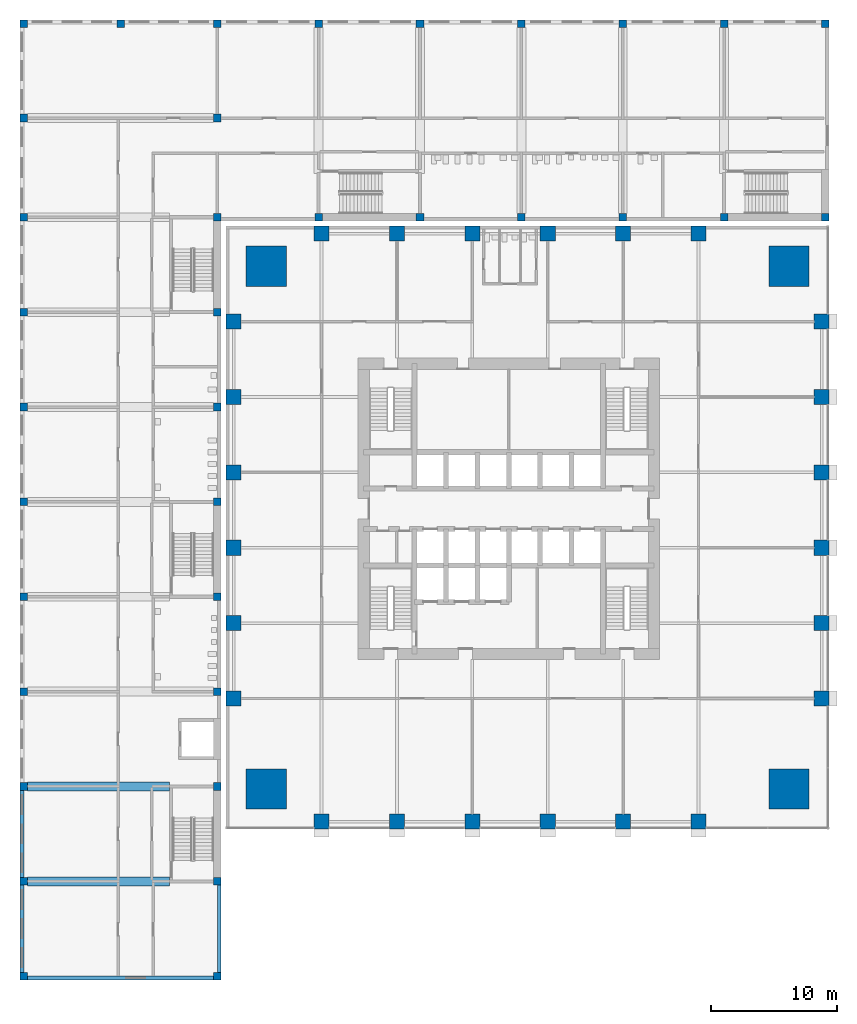
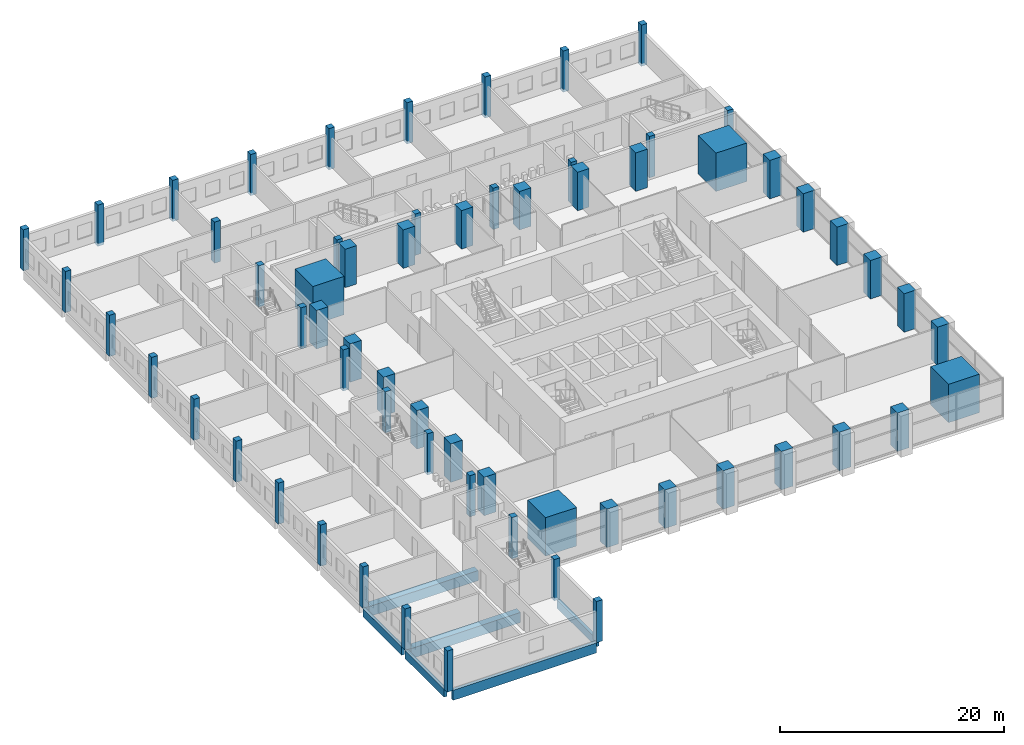
# One storey, part 1 of 25: 63 columns, 6 beams.
"""IFC4 building model written with IfcOpenShell, lengths in metres."""

from ifc_helpers import new_model, si_unit, direction, frame, origin, origin_2d, place, context, subcontext, project, spatial, rectangle, extrude, material, material_profile, profile_set, type_object, element, save


model = new_model("IFC4")

# Units and contexts
model_context = context("Model", 3, precision=1e-05, world=origin(), true_north=direction((0.0, 1.0)))
body_context = subcontext(model_context, "Body", "Model", "MODEL_VIEW")
ifc_project = project(units=[si_unit("LENGTHUNIT", "METRE"), si_unit("AREAUNIT", "SQUARE_METRE"), si_unit("VOLUMEUNIT", "CUBIC_METRE"), si_unit("PLANEANGLEUNIT", "RADIAN"), si_unit("MASSUNIT", "GRAM", prefix="KILO")], contexts=[model_context])

# Site, building, storey
site_placement = place(None, origin())
site = spatial("IfcSite", under=ifc_project, at=site_placement, CompositionType="ELEMENT")
building_placement = place(site_placement, origin())
building = spatial("IfcBuilding", under=site, at=building_placement, Name="Amberfall Residences", CompositionType="ELEMENT")
storey_placement = place(building_placement, frame((0.0, 0.0, 10.0)))
storey = spatial("IfcBuildingStorey", under=building, at=storey_placement, Name="L02", CompositionType="ELEMENT", Elevation=10.0)

# Columns
ifc_material_1 = material(Name="Concrete C80", Category="concrete")
ifc_material_profile_1 = material_profile(ifc_material_1, rectangle(XDim=1.199951171875, YDim=1.199951171875, at=origin_2d()), Name="Column 1200 x 1200 C80")
ifc_profile_set_1 = profile_set([ifc_material_profile_1], Name="Concrete C80")
column_type_1 = type_object("IfcColumnType", Name="Column 1200 x 1200 C80", PredefinedType="COLUMN", material=ifc_profile_set_1)
for number, where, z_axis, x_axis, name in (
    (1, (59.60009765625, 20.60009765625, 0.0), (0.0, 0.0, 1.0), (1.0, 0.0, 0.0), "Column C1 L02 S1"),
    (2, (65.60009765625, 20.60009765625, 0.0), (0.0, 0.0, 1.0), (1.0, 0.0, 0.0), "Column C1 L02 S2"),
    (3, (71.60009765625, 20.60009765625, 0.0), (0.0, 0.0, 1.0), (1.0, 0.0, 0.0), "Column C1 L02 S3"),
    (4, (77.60009765625, 20.60009765625, 0.0), (0.0, 0.0, 1.0), (1.0, 0.0, 0.0), "Column C1 L02 S4"),
    (5, (83.60009765625, 20.60009765625, 0.0), (0.0, 0.0, 1.0), (1.0, 0.0, 0.0), "Column C1 L02 S5"),
    (6, (89.60009765625, 20.60009765625, 0.0), (0.0, 0.0, 1.0), (1.0, 0.0, 0.0), "Column C1 L02 S6"),
    (7, (99.39990234375, 30.39990234375, 0.0), (0.0, 0.0, 1.0), (1.0, 0.0, 0.0), "Column C1 L02 E1"),
    (8, (99.39990234375, 36.39990234375, 0.0), (0.0, 0.0, 1.0), (1.0, 0.0, 0.0), "Column C1 L02 E2"),
    (9, (99.39990234375, 42.39990234375, 0.0), (0.0, 0.0, 1.0), (1.0, 0.0, 0.0), "Column C1 L02 E3"),
    (10, (99.39990234375, 48.39990234375, 0.0), (0.0, 0.0, 1.0), (1.0, 0.0, 0.0), "Column C1 L02 E4"),
    (11, (99.39990234375, 54.39990234375, 0.0), (0.0, 0.0, 1.0), (1.0, 0.0, 0.0), "Column C1 L02 E5"),
    (12, (99.39990234375, 60.39990234375, 0.0), (0.0, 0.0, 1.0), (1.0, 0.0, 0.0), "Column C1 L02 E6"),
    (13, (59.60009765625, 67.39990234375, 0.0), (0.0, 0.0, 1.0), (1.0, 0.0, 0.0), "Column C1 L02 N1"),
    (14, (65.60009765625, 67.39990234375, 0.0), (0.0, 0.0, 1.0), (1.0, 0.0, 0.0), "Column C1 L02 N2"),
    (15, (71.60009765625, 67.39990234375, 0.0), (0.0, 0.0, 1.0), (1.0, 0.0, 0.0), "Column C1 L02 N3"),
    (16, (77.60009765625, 67.39990234375, 0.0), (0.0, 0.0, 1.0), (1.0, 0.0, 0.0), "Column C1 L02 N4"),
    (17, (83.60009765625, 67.39990234375, 0.0), (0.0, 0.0, 1.0), (1.0, 0.0, 0.0), "Column C1 L02 N5"),
    (18, (89.60009765625, 67.39990234375, 0.0), (0.0, 0.0, 1.0), (1.0, 0.0, 0.0), "Column C1 L02 N6"),
    (19, (52.60009765625, 30.39990234375, 0.0), (0.0, 0.0, 1.0), (1.0, 0.0, 0.0), "Column C1 L02 W1"),
    (20, (52.60009765625, 36.39990234375, 0.0), (0.0, 0.0, 1.0), (1.0, 0.0, 0.0), "Column C1 L02 W2"),
    (21, (52.60009765625, 42.39990234375, 0.0), (0.0, 0.0, 1.0), (1.0, 0.0, 0.0), "Column C1 L02 W3"),
    (22, (52.60009765625, 48.39990234375, 0.0), (0.0, 0.0, 1.0), (1.0, 0.0, 0.0), "Column C1 L02 W4"),
    (23, (52.60009765625, 54.39990234375, 0.0), (0.0, 0.0, 1.0), (1.0, 0.0, 0.0), "Column C1 L02 W5"),
    (24, (52.60009765625, 60.39990234375, 0.0), (0.0, 0.0, 1.0), (1.0, 0.0, 0.0), "Column C1 L02 W6"),
):
    element("IfcColumn", number, at=place(storey_placement, frame(where, z_axis=z_axis, x_axis=x_axis)), inside=storey, type_object=column_type_1, Name=name, PredefinedType="COLUMN", context=body_context, shape_type="SweptSolid", body=[
        extrude(rectangle(XDim=1.199951171875, YDim=1.199951171875, at=origin_2d()), origin(), (0.0, 0.0, 1.0), 4.199951171875),
    ])
ifc_material_profile_2 = material_profile(ifc_material_1, rectangle(XDim=3.199951171875, YDim=3.199951171875, at=origin_2d()), Name="Mega column 3200 x 3200 C80")
ifc_profile_set_2 = profile_set([ifc_material_profile_2], Name="Concrete C80")
column_type_2 = type_object("IfcColumnType", Name="Mega column 3200 x 3200 C80", PredefinedType="COLUMN", material=ifc_profile_set_2)
for number, where, z_axis, x_axis, name in (
    (25, (55.199951171875, 23.199951171875, 0.0), (0.0, 0.0, 1.0), (1.0, 0.0, 0.0), "Mega column MC1 L02 SW"),
    (26, (96.800048828125, 23.199951171875, 0.0), (0.0, 0.0, 1.0), (1.0, 0.0, 0.0), "Mega column MC1 L02 SE"),
    (27, (96.800048828125, 64.800048828125, 0.0), (0.0, 0.0, 1.0), (1.0, 0.0, 0.0), "Mega column MC1 L02 NE"),
    (28, (55.199951171875, 64.800048828125, 0.0), (0.0, 0.0, 1.0), (1.0, 0.0, 0.0), "Mega column MC1 L02 NW"),
):
    element("IfcColumn", number, at=place(storey_placement, frame(where, z_axis=z_axis, x_axis=x_axis)), inside=storey, type_object=column_type_2, Name=name, PredefinedType="COLUMN", context=body_context, shape_type="SweptSolid", body=[
        extrude(rectangle(XDim=3.199951171875, YDim=3.199951171875, at=origin_2d()), origin(), (0.0, 0.0, 1.0), 4.199951171875),
    ])
ifc_material_2 = material(Name="Concrete C40", Category="concrete")
ifc_material_profile_3 = material_profile(ifc_material_2, rectangle(XDim=0.60009765625, YDim=0.60009765625, at=origin_2d()), Name="School column 600 x 600 C40")
ifc_profile_set_3 = profile_set([ifc_material_profile_3], Name="Concrete C40")
column_type_3 = type_object("IfcColumnType", Name="School column 600 x 600 C40", PredefinedType="COLUMN", material=ifc_profile_set_3)
for number, where, z_axis, x_axis, name in (
    (29, (35.89990234375, 8.300048828125, -0.300048828125), (0.0, 0.0, 1.0), (1.0, 0.0, 0.0), "School column L02 01"),
    (30, (51.300048828125, 8.300048828125, -0.300048828125), (0.0, 0.0, 1.0), (1.0, 0.0, 0.0), "School column L02 02"),
    (31, (35.89990234375, 15.85009765625, -0.300048828125), (0.0, 0.0, 1.0), (1.0, 0.0, 0.0), "School column L02 03"),
    (32, (51.300048828125, 15.85009765625, -0.300048828125), (0.0, 0.0, 1.0), (1.0, 0.0, 0.0), "School column L02 04"),
    (33, (35.89990234375, 23.39990234375, -0.300048828125), (0.0, 0.0, 1.0), (1.0, 0.0, 0.0), "School column L02 05"),
    (34, (51.300048828125, 23.39990234375, -0.300048828125), (0.0, 0.0, 1.0), (1.0, 0.0, 0.0), "School column L02 06"),
    (35, (35.89990234375, 30.949951171875, -0.300048828125), (0.0, 0.0, 1.0), (1.0, 0.0, 0.0), "School column L02 07"),
    (36, (51.300048828125, 30.949951171875, -0.300048828125), (0.0, 0.0, 1.0), (1.0, 0.0, 0.0), "School column L02 08"),
    (37, (35.89990234375, 38.5, -0.300048828125), (0.0, 0.0, 1.0), (1.0, 0.0, 0.0), "School column L02 09"),
    (38, (51.300048828125, 38.5, -0.300048828125), (0.0, 0.0, 1.0), (1.0, 0.0, 0.0), "School column L02 10"),
    (39, (35.89990234375, 46.050048828125, -0.300048828125), (0.0, 0.0, 1.0), (1.0, 0.0, 0.0), "School column L02 11"),
    (40, (51.300048828125, 46.050048828125, -0.300048828125), (0.0, 0.0, 1.0), (1.0, 0.0, 0.0), "School column L02 12"),
    (41, (35.89990234375, 53.60009765625, -0.300048828125), (0.0, 0.0, 1.0), (1.0, 0.0, 0.0), "School column L02 13"),
    (42, (51.300048828125, 53.60009765625, -0.300048828125), (0.0, 0.0, 1.0), (1.0, 0.0, 0.0), "School column L02 14"),
    (43, (35.89990234375, 61.14990234375, -0.300048828125), (0.0, 0.0, 1.0), (1.0, 0.0, 0.0), "School column L02 15"),
    (44, (51.300048828125, 61.14990234375, -0.300048828125), (0.0, 0.0, 1.0), (1.0, 0.0, 0.0), "School column L02 16"),
    (45, (35.89990234375, 68.699951171875, -0.300048828125), (0.0, 0.0, 1.0), (1.0, 0.0, 0.0), "School column L02 17"),
    (46, (51.300048828125, 68.699951171875, -0.300048828125), (0.0, 0.0, 1.0), (1.0, 0.0, 0.0), "School column L02 18"),
    (47, (35.89990234375, 76.60009765625, -0.300048828125), (0.0, 0.0, 1.0), (1.0, 0.0, 0.0), "School column L02 19"),
    (48, (51.300048828125, 76.60009765625, -0.300048828125), (0.0, 0.0, 1.0), (1.0, 0.0, 0.0), "School column L02 20"),
    (49, (35.89990234375, 84.10009765625, -0.300048828125), (0.0, 0.0, 1.0), (1.0, 0.0, 0.0), "School column L02 21"),
    (50, (51.300048828125, 84.10009765625, -0.300048828125), (0.0, 0.0, 1.0), (1.0, 0.0, 0.0), "School column L02 22"),
    (51, (43.60009765625, 84.10009765625, -0.300048828125), (0.0, 0.0, 1.0), (1.0, 0.0, 0.0), "School column L02 23"),
    (52, (59.366943359375, 84.10009765625, -0.300048828125), (0.0, 0.0, 1.0), (1.0, 0.0, 0.0), "School column L02 24"),
    (53, (59.366943359375, 68.699951171875, -0.300048828125), (0.0, 0.0, 1.0), (1.0, 0.0, 0.0), "School column L02 25"),
    (54, (67.43310546875, 84.10009765625, -0.300048828125), (0.0, 0.0, 1.0), (1.0, 0.0, 0.0), "School column L02 26"),
    (55, (67.43310546875, 68.699951171875, -0.300048828125), (0.0, 0.0, 1.0), (1.0, 0.0, 0.0), "School column L02 27"),
    (56, (75.5, 84.10009765625, -0.300048828125), (0.0, 0.0, 1.0), (1.0, 0.0, 0.0), "School column L02 28"),
    (57, (75.5, 68.699951171875, -0.300048828125), (0.0, 0.0, 1.0), (1.0, 0.0, 0.0), "School column L02 29"),
    (58, (83.56689453125, 84.10009765625, -0.300048828125), (0.0, 0.0, 1.0), (1.0, 0.0, 0.0), "School column L02 30"),
    (59, (83.56689453125, 68.699951171875, -0.300048828125), (0.0, 0.0, 1.0), (1.0, 0.0, 0.0), "School column L02 31"),
    (60, (91.633056640625, 84.10009765625, -0.300048828125), (0.0, 0.0, 1.0), (1.0, 0.0, 0.0), "School column L02 32"),
    (61, (91.633056640625, 68.699951171875, -0.300048828125), (0.0, 0.0, 1.0), (1.0, 0.0, 0.0), "School column L02 33"),
    (62, (99.699951171875, 84.10009765625, -0.300048828125), (0.0, 0.0, 1.0), (1.0, 0.0, 0.0), "School column L02 34"),
    (63, (99.699951171875, 68.699951171875, -0.300048828125), (0.0, 0.0, 1.0), (1.0, 0.0, 0.0), "School column L02 35"),
):
    element("IfcColumn", number, at=place(storey_placement, frame(where, z_axis=z_axis, x_axis=x_axis)), inside=storey, type_object=column_type_3, Name=name, PredefinedType="COLUMN", context=body_context, shape_type="SweptSolid", body=[
        extrude(rectangle(XDim=0.60009765625, YDim=0.60009765625, at=origin_2d()), origin(), (0.0, 0.0, 1.0), 4.5),
    ])

# Beams
ifc_material_profile_4 = material_profile(ifc_material_2, rectangle(XDim=0.699951171875, YDim=1.10009765625, at=origin_2d()), Name="School beam 700 x 1100 C40")
ifc_profile_set_4 = profile_set([ifc_material_profile_4], Name="Concrete C40")
beam_type_1 = type_object("IfcBeamType", Name="School beam 700 x 1100 C40", PredefinedType="BEAM", material=ifc_profile_set_4)
for number, where, z_axis, x_axis, name in (
    (64, (36.199951171875, 15.85009765625, -0.85009765625), (1.0, 0.0, 0.0), (0.0, 1.0, 0.0), "TW1"),
    (65, (36.199951171875, 23.39990234375, -0.85009765625), (1.0, 0.0, 0.0), (0.0, 1.0, 0.0), "TW2"),
):
    element("IfcBeam", number, at=place(storey_placement, frame(where, z_axis=z_axis, x_axis=x_axis)), inside=storey, type_object=beam_type_1, Name=name, PredefinedType="BEAM", context=body_context, shape_type="SweptSolid", body=[
        extrude(rectangle(XDim=0.699951171875, YDim=1.10009765625, at=origin_2d()), origin(), (0.0, 0.0, 1.0), 11.300048828125),
    ])
ifc_material_profile_5 = material_profile(ifc_material_2, rectangle(XDim=0.300048828125, YDim=0.89990234375, at=origin_2d()), Name="School edge beam 300 x 900 C40")
ifc_profile_set_5 = profile_set([ifc_material_profile_5], Name="Concrete C40")
beam_type_2 = type_object("IfcBeamType", Name="School edge beam 300 x 900 C40", PredefinedType="BEAM", material=ifc_profile_set_5)
beam_1_placement = place(storey_placement, frame((35.75, 8.60009765625, -0.75), z_axis=(0.0, 1.0, 0.0), x_axis=(-1.0, 0.0, 0.0)))
element("IfcBeam", 66, at=beam_1_placement, inside=storey, type_object=beam_type_2, Name="GW0", PredefinedType="BEAM", context=body_context, shape_type="SweptSolid", body=[
    extrude(rectangle(XDim=0.300048828125, YDim=0.89990234375, at=origin_2d()), origin(), (0.0, 0.0, 1.0), 6.949951171875),
])
beam_2_placement = place(storey_placement, frame((35.75, 16.14990234375, -0.75), z_axis=(0.0, 1.0, 0.0), x_axis=(-1.0, 0.0, 0.0)))
element("IfcBeam", 67, at=beam_2_placement, inside=storey, type_object=beam_type_2, Name="GW1", PredefinedType="BEAM", context=body_context, shape_type="SweptSolid", body=[
    extrude(rectangle(XDim=0.300048828125, YDim=0.89990234375, at=origin_2d()), origin(), (0.0, 0.0, 1.0), 6.9501953125),
])
beam_3_placement = place(storey_placement, frame((51.449951171875, 8.60009765625, -0.75), z_axis=(0.0, 1.0, 0.0), x_axis=(-1.0, 0.0, 0.0)))
element("IfcBeam", 68, at=beam_3_placement, inside=storey, type_object=beam_type_2, Name="GE0", PredefinedType="BEAM", context=body_context, shape_type="SweptSolid", body=[
    extrude(rectangle(XDim=0.300048828125, YDim=0.89990234375, at=origin_2d()), origin(), (0.0, 0.0, 1.0), 6.949951171875),
])
ifc_material_profile_6 = material_profile(ifc_material_2, rectangle(XDim=0.300048828125, YDim=1.10009765625, at=origin_2d()), Name="School end beam 300 x 1100 C40")
ifc_profile_set_6 = profile_set([ifc_material_profile_6], Name="Concrete C40")
beam_type_3 = type_object("IfcBeamType", Name="School end beam 300 x 1100 C40", PredefinedType="BEAM", material=ifc_profile_set_6)
beam_4_placement = place(storey_placement, frame((36.199951171875, 8.14990234375, -0.85009765625), z_axis=(1.0, 0.0, 0.0), x_axis=(0.0, 1.0, 0.0)))
element("IfcBeam", 69, at=beam_4_placement, inside=storey, type_object=beam_type_3, Name="ES", PredefinedType="BEAM", context=body_context, shape_type="SweptSolid", body=[
    extrude(rectangle(XDim=0.300048828125, YDim=1.10009765625, at=origin_2d()), origin(), (0.0, 0.0, 1.0), 14.800048828125),
])

save(model, "model.ifc")
